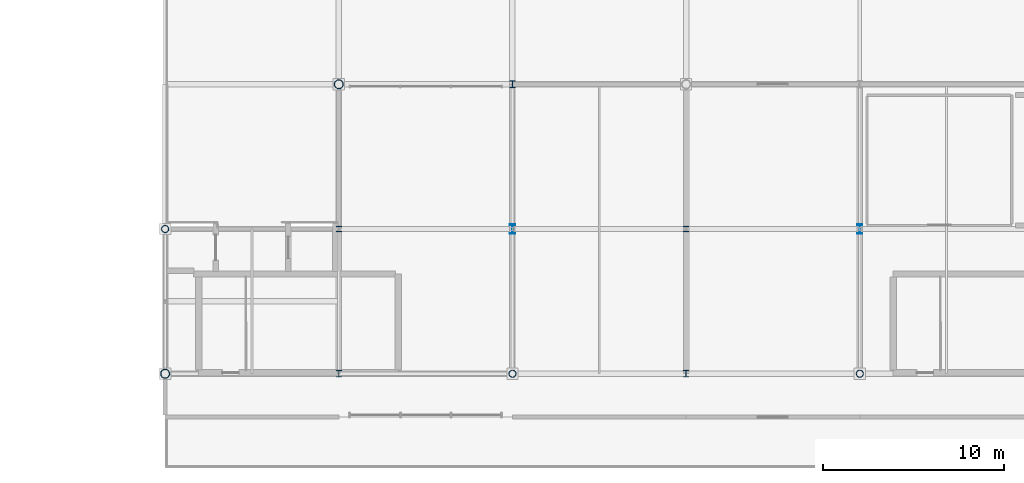
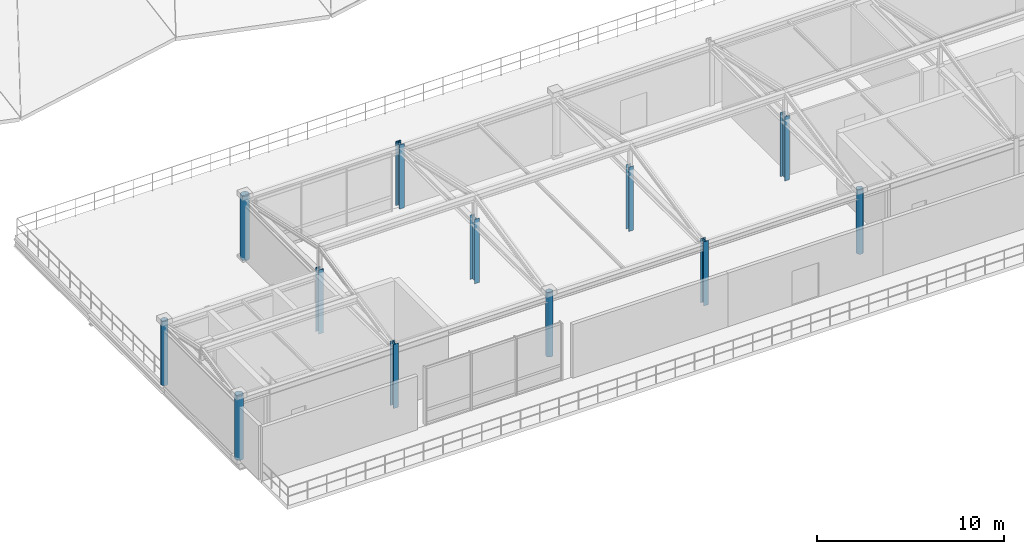
# One storey, part 1 of 26: 12 columns.
"""IFC4 building model written with IfcOpenShell, lengths in metres."""

from ifc_helpers import new_model, si_unit, direction, frame, origin, origin_2d, place, context, subcontext, project, spatial, hollow_circle, i_section, extrude, material, material_profile, profile_set, type_object, element, save


model = new_model("IFC4")

# Units and contexts
model_context = context("Model", 3, precision=1e-05, world=origin(), true_north=direction((0.0, 1.0)))
body_context = subcontext(model_context, "Body", "Model", "MODEL_VIEW")
ifc_project = project(units=[si_unit("LENGTHUNIT", "METRE"), si_unit("AREAUNIT", "SQUARE_METRE"), si_unit("VOLUMEUNIT", "CUBIC_METRE"), si_unit("PLANEANGLEUNIT", "RADIAN"), si_unit("MASSUNIT", "GRAM", prefix="KILO")], contexts=[model_context])

# Site, building, storey
site_placement = place(None, origin())
site = spatial("IfcSite", under=ifc_project, at=site_placement, CompositionType="ELEMENT")
building_placement = place(site_placement, origin())
building = spatial("IfcBuilding", under=site, at=building_placement, Name="Danafjord Basin Convention Centre", CompositionType="ELEMENT")
storey_placement = place(building_placement, frame((0.0, 0.0, 29.39990234375)))
storey = spatial("IfcBuildingStorey", under=building, at=storey_placement, Name="RF", CompositionType="ELEMENT", Elevation=29.39990234375)

# Columns
ifc_material = material(Name="Steel S355", Category="steel")
ifc_material_profile_1 = material_profile(ifc_material, hollow_circle(Radius=0.203125, WallThickness=0.02001953125, at=origin_2d()), Name="CHS 406.4x20.0")
ifc_profile_set_1 = profile_set([ifc_material_profile_1], Name="Steel S355")
column_type_1 = type_object("IfcColumnType", Name="COL-C-CHS406", PredefinedType="COLUMN", material=ifc_profile_set_1)
for number, where, z_axis, x_axis, name in (
    (1, (9.60009765625, 24.0, 0.0), (0.0, 0.0, 1.0), (1.0, 0.0, 0.0), "RF column C-CHS406 at (9.6, 24.0)"),
    (2, (28.800048828125, 16.0, 0.0), (0.0, 0.0, 1.0), (1.0, 0.0, 0.0), "RF column C-CHS406 at (28.8, 16.0)"),
    (3, (48.0, 16.0, 0.0), (0.0, 0.0, 1.0), (1.0, 0.0, 0.0), "RF column C-CHS406 at (48.0, 16.0)"),
):
    element("IfcColumn", number, at=place(storey_placement, frame(where, z_axis=z_axis, x_axis=x_axis)), inside=storey, type_object=column_type_1, Name=name, PredefinedType="COLUMN", context=body_context, shape_type="SweptSolid", body=[
        extrude(hollow_circle(Radius=0.203125, WallThickness=0.02001953125, at=origin_2d()), origin(), (0.0, 0.0, 1.0), 4.2001953125),
    ])
ifc_material_profile_2 = material_profile(ifc_material, hollow_circle(Radius=0.25390625, WallThickness=0.02490234375, at=origin_2d()), Name="CHS 508.0x25.0")
ifc_profile_set_2 = profile_set([ifc_material_profile_2], Name="Steel S355")
column_type_2 = type_object("IfcColumnType", Name="COL-C-CHS508", PredefinedType="COLUMN", material=ifc_profile_set_2)
for number, where, z_axis, x_axis, name in (
    (4, (9.60009765625, 16.0, 0.0), (0.0, 0.0, 1.0), (1.0, 0.0, 0.0), "RF column C-CHS508 at (9.6, 16.0)"),
    (5, (19.199951171875, 32.0, 0.0), (0.0, 0.0, 1.0), (1.0, 0.0, 0.0), "RF column C-CHS508 at (19.2, 32.0)"),
):
    element("IfcColumn", number, at=place(storey_placement, frame(where, z_axis=z_axis, x_axis=x_axis)), inside=storey, type_object=column_type_2, Name=name, PredefinedType="COLUMN", context=body_context, shape_type="SweptSolid", body=[
        extrude(hollow_circle(Radius=0.25390625, WallThickness=0.02490234375, at=origin_2d()), origin(), (0.0, 0.0, 1.0), 4.2001953125),
    ])
ifc_material_profile_3 = material_profile(ifc_material, i_section(OverallWidth=0.300048828125, OverallDepth=0.300048828125, WebThickness=0.010986328125, FlangeThickness=0.01904296875, FilletRadius=0.027099609375, at=origin_2d()), Name="HEB 300")
ifc_profile_set_3 = profile_set([ifc_material_profile_3], Name="Steel S355")
column_type_3 = type_object("IfcColumnType", Name="COL-C-HEB300", PredefinedType="COLUMN", material=ifc_profile_set_3)
for number, where, z_axis, x_axis, name in (
    (6, (19.199951171875, 24.0, 0.0), (0.0, 0.0, 1.0), (1.0, 0.0, 0.0), "RF column C-HEB300 at (19.2, 24.0)"),
    (7, (38.39990234375, 24.0, 0.0), (0.0, 0.0, 1.0), (1.0, 0.0, 0.0), "RF column C-HEB300 at (38.4, 24.0)"),
):
    element("IfcColumn", number, at=place(storey_placement, frame(where, z_axis=z_axis, x_axis=x_axis)), inside=storey, type_object=column_type_3, Name=name, PredefinedType="COLUMN", context=body_context, shape_type="SweptSolid", body=[
        extrude(i_section(OverallWidth=0.300048828125, OverallDepth=0.300048828125, WebThickness=0.010986328125, FlangeThickness=0.01904296875, FilletRadius=0.027099609375, at=origin_2d()), origin(), (0.0, 0.0, 1.0), 4.2001953125),
    ])
ifc_material_profile_4 = material_profile(ifc_material, i_section(OverallWidth=0.300048828125, OverallDepth=0.360107421875, WebThickness=0.012451171875, FlangeThickness=0.0224609375, FilletRadius=0.027099609375, at=origin_2d()), Name="HEB 360")
ifc_profile_set_4 = profile_set([ifc_material_profile_4], Name="Steel S355")
column_type_4 = type_object("IfcColumnType", Name="COL-C-HEB360", PredefinedType="COLUMN", material=ifc_profile_set_4)
for number, where, z_axis, x_axis, name in (
    (8, (19.199951171875, 16.0, 0.0), (0.0, 0.0, 1.0), (1.0, 0.0, 0.0), "RF column C-HEB360 at (19.2, 16.0)"),
    (9, (38.39990234375, 16.0, 0.0), (0.0, 0.0, 1.0), (1.0, 0.0, 0.0), "RF column C-HEB360 at (38.4, 16.0)"),
):
    element("IfcColumn", number, at=place(storey_placement, frame(where, z_axis=z_axis, x_axis=x_axis)), inside=storey, type_object=column_type_4, Name=name, PredefinedType="COLUMN", context=body_context, shape_type="SweptSolid", body=[
        extrude(i_section(OverallWidth=0.300048828125, OverallDepth=0.360107421875, WebThickness=0.012451171875, FlangeThickness=0.0224609375, FilletRadius=0.027099609375, at=origin_2d()), origin(), (0.0, 0.0, 1.0), 4.2001953125),
    ])
ifc_material_profile_5 = material_profile(ifc_material, i_section(OverallWidth=0.300048828125, OverallDepth=0.39990234375, WebThickness=0.013427734375, FlangeThickness=0.02392578125, FilletRadius=0.027099609375, at=origin_2d()), Name="HEB 400")
ifc_profile_set_5 = profile_set([ifc_material_profile_5], Name="Steel S355")
column_type_5 = type_object("IfcColumnType", Name="COL-C-HEB400", PredefinedType="COLUMN", material=ifc_profile_set_5)
column_placement = place(storey_placement, frame((28.800048828125, 32.0, 0.0), z_axis=(0.0, 0.0, 1.0), x_axis=(1.0, 0.0, 0.0)))
element("IfcColumn", 10, at=column_placement, inside=storey, type_object=column_type_5, Name="RF column C-HEB400 at (28.8, 32.0)", PredefinedType="COLUMN", context=body_context, shape_type="SweptSolid", body=[
    extrude(i_section(OverallWidth=0.300048828125, OverallDepth=0.39990234375, WebThickness=0.013427734375, FlangeThickness=0.02392578125, FilletRadius=0.027099609375, at=origin_2d()), origin(), (0.0, 0.0, 1.0), 4.2001953125),
])
ifc_material_profile_6 = material_profile(ifc_material, i_section(OverallWidth=0.300048828125, OverallDepth=0.5, WebThickness=0.014404296875, FlangeThickness=0.028076171875, FilletRadius=0.027099609375, at=origin_2d()), Name="HEB 500")
ifc_profile_set_6 = profile_set([ifc_material_profile_6], Name="Steel S355")
column_type_6 = type_object("IfcColumnType", Name="COL-C-HEB500", PredefinedType="COLUMN", material=ifc_profile_set_6)
for number, where, z_axis, x_axis, name in (
    (11, (28.800048828125, 24.0, 0.0), (0.0, 0.0, 1.0), (1.0, 0.0, 0.0), "RF column C-HEB500 at (28.8, 24.0)"),
    (12, (48.0, 24.0, 0.0), (0.0, 0.0, 1.0), (1.0, 0.0, 0.0), "RF column C-HEB500 at (48.0, 24.0)"),
):
    element("IfcColumn", number, at=place(storey_placement, frame(where, z_axis=z_axis, x_axis=x_axis)), inside=storey, type_object=column_type_6, Name=name, PredefinedType="COLUMN", context=body_context, shape_type="SweptSolid", body=[
        extrude(i_section(OverallWidth=0.300048828125, OverallDepth=0.5, WebThickness=0.014404296875, FlangeThickness=0.028076171875, FilletRadius=0.027099609375, at=origin_2d()), origin(), (0.0, 0.0, 1.0), 4.2001953125),
    ])

save(model, "model.ifc")
